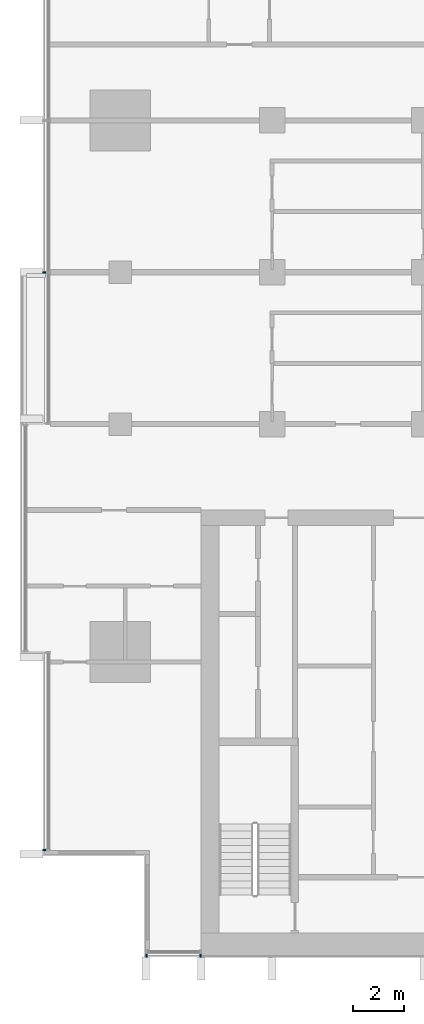
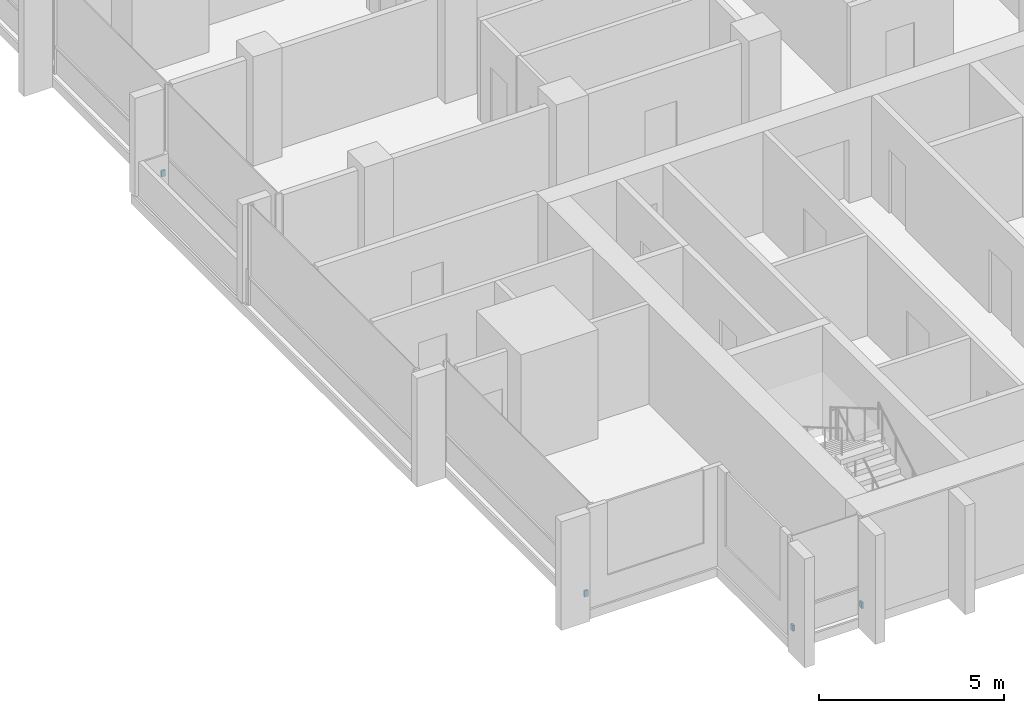
# One storey, part 12 of 16: 4 discrete accessories.
"""IFC4 building model written with IfcOpenShell, lengths in metres."""

from ifc_helpers import new_model, si_unit, direction, frame, origin, origin_2d, place, context, subcontext, project, spatial, rectangle, extrude, material, type_object, element, save


model = new_model("IFC4")

# Units and contexts
model_context = context("Model", 3, precision=1e-05, world=origin(), true_north=direction((0.0, 1.0)))
body_context = subcontext(model_context, "Body", "Model", "MODEL_VIEW")
ifc_project = project(units=[si_unit("LENGTHUNIT", "METRE"), si_unit("AREAUNIT", "SQUARE_METRE"), si_unit("VOLUMEUNIT", "CUBIC_METRE"), si_unit("PLANEANGLEUNIT", "RADIAN"), si_unit("MASSUNIT", "GRAM", prefix="KILO")], contexts=[model_context])

# Site, building, storey
site_placement = place(None, origin())
site = spatial("IfcSite", under=ifc_project, at=site_placement, CompositionType="ELEMENT")
building_placement = place(site_placement, origin())
building = spatial("IfcBuilding", under=site, at=building_placement, Name="Finial Court Residences", CompositionType="ELEMENT")
storey_placement = place(building_placement, frame((0.0, 0.0, 160.10009765625)))
storey = spatial("IfcBuildingStorey", under=building, at=storey_placement, Name="L39", CompositionType="ELEMENT", Elevation=160.10009765625)

# Discrete accessories
ifc_material = material(Name="Stainless steel 316", Category="steel")
discrete_accessory_type = type_object("IfcDiscreteAccessoryType", Name="Fin bracket, stainless steel 60 x 122 x 200", PredefinedType="BRACKET", material=ifc_material)
for number, where, z_axis, x_axis, name in (
    (1, (-15.469970703125, -25.498779296875, 0.2998046875), (0.0, 0.0, 1.0), (1.0, 0.0, 0.0), "E-L39-FIN-S14-BRK"),
    (2, (-13.330078125, -25.498779296875, 0.2998046875), (0.0, 0.0, 1.0), (1.0, 0.0, 0.0), "E-L39-FIN-S15-BRK"),
):
    element("IfcDiscreteAccessory", number, at=place(storey_placement, frame(where, z_axis=z_axis, x_axis=x_axis)), inside=storey, type_object=discrete_accessory_type, Name=name, PredefinedType="BRACKET", context=body_context, shape_type="SweptSolid", body=[
        extrude(rectangle(XDim=0.06005859375, YDim=0.12255859375, at=origin_2d()), origin(), (0.0, 0.0, 1.0), 0.199951171875),
    ])
for number, where, z_axis, x_axis, name in (
    (3, (-19.498779296875, -21.320068359375, 0.2998046875), (0.0, 0.0, 1.0), (1.0, 0.0, 0.0), "E-L39-FIN-W22-BRK"),
    (4, (-19.498779296875, 1.5, 0.2998046875), (0.0, 0.0, 1.0), (1.0, 0.0, 0.0), "E-L39-FIN-W25-BRK"),
):
    element("IfcDiscreteAccessory", number, at=place(storey_placement, frame(where, z_axis=z_axis, x_axis=x_axis)), inside=storey, type_object=discrete_accessory_type, Name=name, PredefinedType="BRACKET", context=body_context, shape_type="SweptSolid", body=[
        extrude(rectangle(XDim=0.12255859375, YDim=0.06005859375, at=origin_2d()), origin(), (0.0, 0.0, 1.0), 0.199951171875),
    ])

save(model, "model.ifc")
